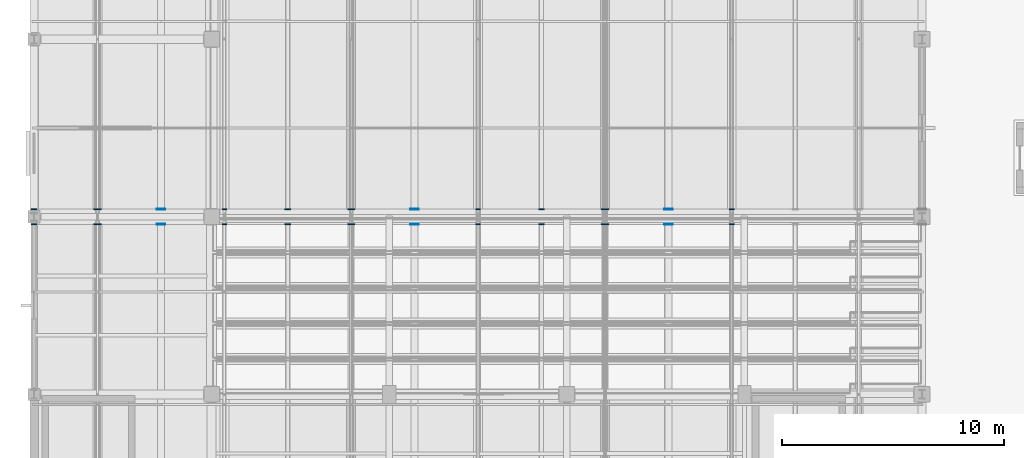
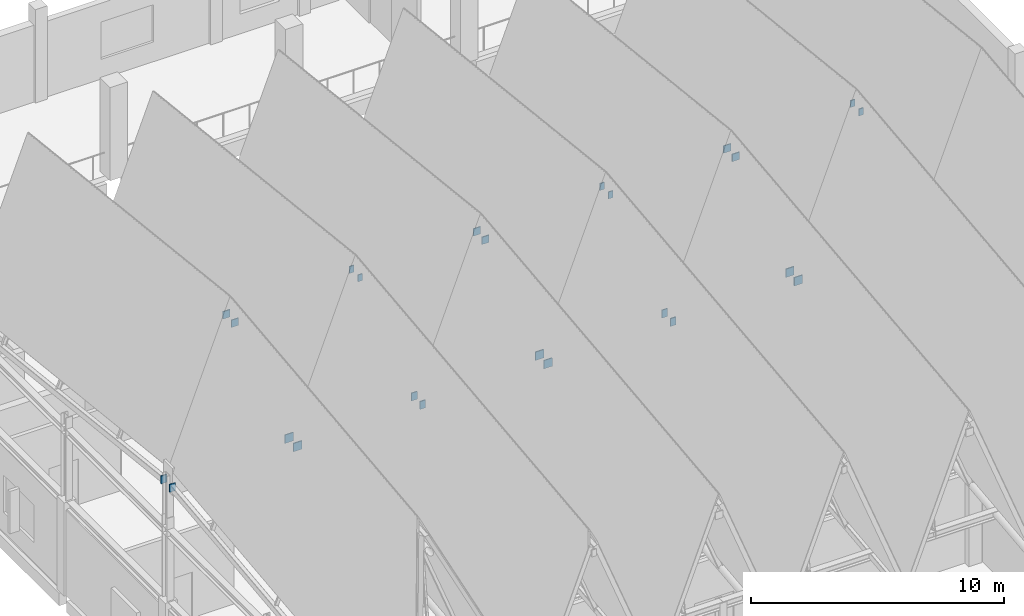
# One storey, part 58 of 77: 24 discrete accessories.
"""IFC4 building model written with IfcOpenShell, lengths in metres."""

from ifc_helpers import new_model, si_unit, direction, frame, origin, origin_2d, place, context, subcontext, project, spatial, rectangle, extrude, material, type_object, element, save


model = new_model("IFC4")

# Units and contexts
model_context = context("Model", 3, precision=1e-05, world=origin(), true_north=direction((0.0, 1.0)))
body_context = subcontext(model_context, "Body", "Model", "MODEL_VIEW")
ifc_project = project(units=[si_unit("LENGTHUNIT", "METRE"), si_unit("AREAUNIT", "SQUARE_METRE"), si_unit("VOLUMEUNIT", "CUBIC_METRE"), si_unit("PLANEANGLEUNIT", "RADIAN"), si_unit("MASSUNIT", "GRAM", prefix="KILO")], contexts=[model_context])

# Site, building, storey
site_placement = place(None, origin())
site = spatial("IfcSite", under=ifc_project, at=site_placement, CompositionType="ELEMENT")
building_placement = place(site_placement, origin())
building = spatial("IfcBuilding", under=site, at=building_placement, Name="Luwemba Playhouse", CompositionType="ELEMENT")
storey_placement = place(building_placement, frame((0.0, 0.0, 9.300048828125)))
storey = spatial("IfcBuildingStorey", under=building, at=storey_placement, Name="L02", CompositionType="ELEMENT", Elevation=9.300048828125)

# Discrete accessories
ifc_material = material(Name="Steel S355", Category="steel")
discrete_accessory_type = type_object("IfcDiscreteAccessoryType", Name="ACC-ENDCAP-S355", PredefinedType="BRACKET", material=ifc_material)
for number, where, z_axis, x_axis, name in (
    (1, (4.0, 51.664794921875, 9.857177734375), (0.0, 0.0, 1.0), (1.0, 0.0, 0.0), "Welded RHS end cap plate 0002"),
    (2, (4.0, 52.335205078125, 9.857177734375), (0.0, 0.0, 1.0), (1.0, 0.0, 0.0), "Welded RHS end cap plate 0003"),
):
    element("IfcDiscreteAccessory", number, at=place(storey_placement, frame(where, z_axis=z_axis, x_axis=x_axis)), inside=storey, type_object=discrete_accessory_type, Name=name, PredefinedType="BRACKET", context=body_context, shape_type="SweptSolid", body=[
        extrude(rectangle(XDim=0.260009765625, YDim=0.044921875, at=origin_2d()), origin(), (0.0, 0.0, 1.0), 0.3798828125),
    ])
for number, where, z_axis, x_axis, name in (
    (3, (6.857177734375, 51.664794921875, 16.822021484375), (0.0, 0.0, 1.0), (1.0, 0.0, 0.0), "Welded RHS end cap plate 0006"),
    (4, (6.857177734375, 52.335205078125, 16.822021484375), (0.0, 0.0, 1.0), (1.0, 0.0, 0.0), "Welded RHS end cap plate 0007"),
):
    element("IfcDiscreteAccessory", number, at=place(storey_placement, frame(where, z_axis=z_axis, x_axis=x_axis)), inside=storey, type_object=discrete_accessory_type, Name=name, PredefinedType="BRACKET", context=body_context, shape_type="SweptSolid", body=[
        extrude(rectangle(XDim=0.3330078125, YDim=0.044921875, at=origin_2d()), origin(), (0.0, 0.0, 1.0), 0.35302734375),
    ])
for number, where, z_axis, x_axis, name in (
    (5, (9.71435546875, 51.664794921875, 9.8330078125), (0.0, 0.0, 1.0), (1.0, 0.0, 0.0), "Welded RHS end cap plate 0010"),
    (6, (9.71435546875, 52.335205078125, 9.8330078125), (0.0, 0.0, 1.0), (1.0, 0.0, 0.0), "Welded RHS end cap plate 0011"),
):
    element("IfcDiscreteAccessory", number, at=place(storey_placement, frame(where, z_axis=z_axis, x_axis=x_axis)), inside=storey, type_object=discrete_accessory_type, Name=name, PredefinedType="BRACKET", context=body_context, shape_type="SweptSolid", body=[
        extrude(rectangle(XDim=0.384033203125, YDim=0.044921875, at=origin_2d()), origin(), (0.0, 0.0, 1.0), 0.404052734375),
    ])
for number, where, z_axis, x_axis, name in (
    (7, (12.5712890625, 51.664794921875, 17.00439453125), (0.0, 0.0, 1.0), (1.0, 0.0, 0.0), "Welded RHS end cap plate 0014"),
    (8, (12.5712890625, 52.335205078125, 17.00439453125), (0.0, 0.0, 1.0), (1.0, 0.0, 0.0), "Welded RHS end cap plate 0015"),
):
    element("IfcDiscreteAccessory", number, at=place(storey_placement, frame(where, z_axis=z_axis, x_axis=x_axis)), inside=storey, type_object=discrete_accessory_type, Name=name, PredefinedType="BRACKET", context=body_context, shape_type="SweptSolid", body=[
        extrude(rectangle(XDim=0.2099609375, YDim=0.044921875, at=origin_2d()), origin(), (0.0, 0.0, 1.0), 0.330078125),
    ])
for number, where, z_axis, x_axis, name in (
    (9, (15.4287109375, 51.664794921875, 9.857177734375), (0.0, 0.0, 1.0), (1.0, 0.0, 0.0), "Welded RHS end cap plate 0018"),
    (10, (15.4287109375, 52.335205078125, 9.857177734375), (0.0, 0.0, 1.0), (1.0, 0.0, 0.0), "Welded RHS end cap plate 0019"),
):
    element("IfcDiscreteAccessory", number, at=place(storey_placement, frame(where, z_axis=z_axis, x_axis=x_axis)), inside=storey, type_object=discrete_accessory_type, Name=name, PredefinedType="BRACKET", context=body_context, shape_type="SweptSolid", body=[
        extrude(rectangle(XDim=0.260009765625, YDim=0.044921875, at=origin_2d()), origin(), (0.0, 0.0, 1.0), 0.3798828125),
    ])
for number, where, z_axis, x_axis, name in (
    (11, (18.28564453125, 51.664794921875, 16.822021484375), (0.0, 0.0, 1.0), (1.0, 0.0, 0.0), "Welded RHS end cap plate 0022"),
    (12, (18.28564453125, 52.335205078125, 16.822021484375), (0.0, 0.0, 1.0), (1.0, 0.0, 0.0), "Welded RHS end cap plate 0023"),
):
    element("IfcDiscreteAccessory", number, at=place(storey_placement, frame(where, z_axis=z_axis, x_axis=x_axis)), inside=storey, type_object=discrete_accessory_type, Name=name, PredefinedType="BRACKET", context=body_context, shape_type="SweptSolid", body=[
        extrude(rectangle(XDim=0.3330078125, YDim=0.044921875, at=origin_2d()), origin(), (0.0, 0.0, 1.0), 0.35302734375),
    ])
for number, where, z_axis, x_axis, name in (
    (13, (21.142822265625, 51.664794921875, 9.8330078125), (0.0, 0.0, 1.0), (1.0, 0.0, 0.0), "Welded RHS end cap plate 0026"),
    (14, (21.142822265625, 52.335205078125, 9.8330078125), (0.0, 0.0, 1.0), (1.0, 0.0, 0.0), "Welded RHS end cap plate 0027"),
):
    element("IfcDiscreteAccessory", number, at=place(storey_placement, frame(where, z_axis=z_axis, x_axis=x_axis)), inside=storey, type_object=discrete_accessory_type, Name=name, PredefinedType="BRACKET", context=body_context, shape_type="SweptSolid", body=[
        extrude(rectangle(XDim=0.384033203125, YDim=0.044921875, at=origin_2d()), origin(), (0.0, 0.0, 1.0), 0.404052734375),
    ])
for number, where, z_axis, x_axis, name in (
    (15, (24.0, 51.664794921875, 17.004150390625), (0.0, 0.0, 1.0), (1.0, 0.0, 0.0), "Welded RHS end cap plate 0030"),
    (16, (24.0, 52.335205078125, 17.004150390625), (0.0, 0.0, 1.0), (1.0, 0.0, 0.0), "Welded RHS end cap plate 0031"),
):
    element("IfcDiscreteAccessory", number, at=place(storey_placement, frame(where, z_axis=z_axis, x_axis=x_axis)), inside=storey, type_object=discrete_accessory_type, Name=name, PredefinedType="BRACKET", context=body_context, shape_type="SweptSolid", body=[
        extrude(rectangle(XDim=0.2099609375, YDim=0.044921875, at=origin_2d()), origin(), (0.0, 0.0, 1.0), 0.330078125),
    ])
for number, where, z_axis, x_axis, name in (
    (17, (26.857177734375, 51.664794921875, 9.85693359375), (0.0, 0.0, 1.0), (1.0, 0.0, 0.0), "Welded RHS end cap plate 0034"),
    (18, (26.857177734375, 52.335205078125, 9.85693359375), (0.0, 0.0, 1.0), (1.0, 0.0, 0.0), "Welded RHS end cap plate 0035"),
):
    element("IfcDiscreteAccessory", number, at=place(storey_placement, frame(where, z_axis=z_axis, x_axis=x_axis)), inside=storey, type_object=discrete_accessory_type, Name=name, PredefinedType="BRACKET", context=body_context, shape_type="SweptSolid", body=[
        extrude(rectangle(XDim=0.260009765625, YDim=0.044921875, at=origin_2d()), origin(), (0.0, 0.0, 1.0), 0.3798828125),
    ])
for number, where, z_axis, x_axis, name in (
    (19, (29.71435546875, 51.664794921875, 16.82177734375), (0.0, 0.0, 1.0), (1.0, 0.0, 0.0), "Welded RHS end cap plate 0038"),
    (20, (29.71435546875, 52.335205078125, 16.82177734375), (0.0, 0.0, 1.0), (1.0, 0.0, 0.0), "Welded RHS end cap plate 0039"),
):
    element("IfcDiscreteAccessory", number, at=place(storey_placement, frame(where, z_axis=z_axis, x_axis=x_axis)), inside=storey, type_object=discrete_accessory_type, Name=name, PredefinedType="BRACKET", context=body_context, shape_type="SweptSolid", body=[
        extrude(rectangle(XDim=0.3330078125, YDim=0.044921875, at=origin_2d()), origin(), (0.0, 0.0, 1.0), 0.35302734375),
    ])
for number, where, z_axis, x_axis, name in (
    (21, (32.5712890625, 51.664794921875, 9.8330078125), (0.0, 0.0, 1.0), (1.0, 0.0, 0.0), "Welded RHS end cap plate 0042"),
    (22, (32.5712890625, 52.335205078125, 9.8330078125), (0.0, 0.0, 1.0), (1.0, 0.0, 0.0), "Welded RHS end cap plate 0043"),
):
    element("IfcDiscreteAccessory", number, at=place(storey_placement, frame(where, z_axis=z_axis, x_axis=x_axis)), inside=storey, type_object=discrete_accessory_type, Name=name, PredefinedType="BRACKET", context=body_context, shape_type="SweptSolid", body=[
        extrude(rectangle(XDim=0.384033203125, YDim=0.044921875, at=origin_2d()), origin(), (0.0, 0.0, 1.0), 0.404052734375),
    ])
for number, where, z_axis, x_axis, name in (
    (23, (35.4287109375, 51.664794921875, 17.004150390625), (0.0, 0.0, 1.0), (1.0, 0.0, 0.0), "Welded RHS end cap plate 0046"),
    (24, (35.4287109375, 52.335205078125, 17.004150390625), (0.0, 0.0, 1.0), (1.0, 0.0, 0.0), "Welded RHS end cap plate 0047"),
):
    element("IfcDiscreteAccessory", number, at=place(storey_placement, frame(where, z_axis=z_axis, x_axis=x_axis)), inside=storey, type_object=discrete_accessory_type, Name=name, PredefinedType="BRACKET", context=body_context, shape_type="SweptSolid", body=[
        extrude(rectangle(XDim=0.2099609375, YDim=0.044921875, at=origin_2d()), origin(), (0.0, 0.0, 1.0), 0.330078125),
    ])

save(model, "model.ifc")
